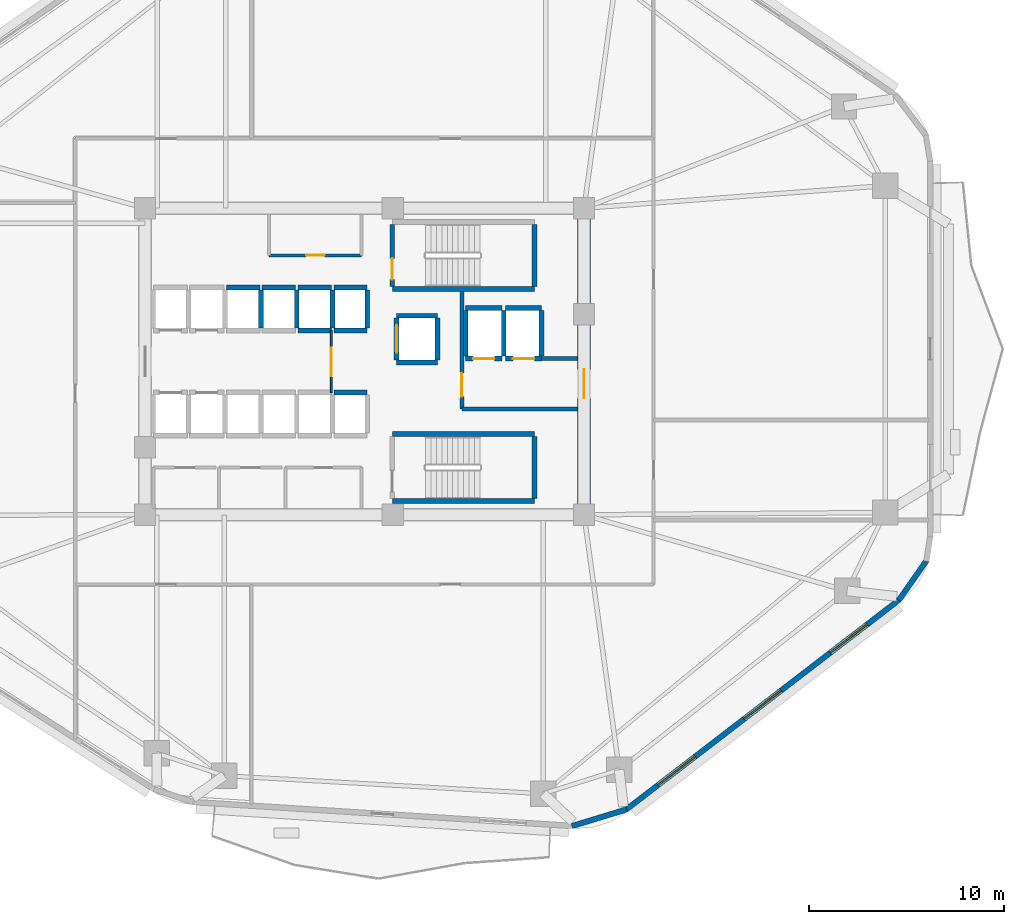
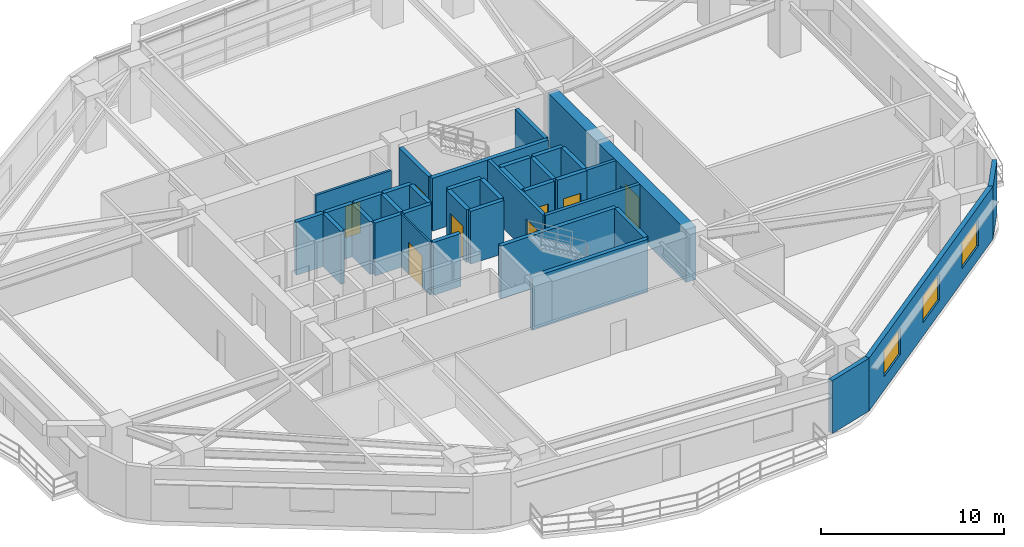
# One storey, part 7 of 11: 37 walls, 8 doors, 3 windows, 11 openings.
"""IFC4 building model written with IfcOpenShell, lengths in metres."""

from ifc_helpers import new_model, si_unit, direction, frame, frame_2d, origin, place, context, subcontext, project, spatial, rectangle, extrude, material, layer, layer_set, type_object, element, fill, save


model = new_model("IFC4")

# Units and contexts
model_context = context("Model", 3, precision=1e-05, world=origin(), true_north=direction((0.0, 1.0)))
body_context = subcontext(model_context, "Body", "Model", "MODEL_VIEW")
ifc_project = project(units=[si_unit("LENGTHUNIT", "METRE"), si_unit("AREAUNIT", "SQUARE_METRE"), si_unit("VOLUMEUNIT", "CUBIC_METRE"), si_unit("PLANEANGLEUNIT", "RADIAN"), si_unit("MASSUNIT", "GRAM", prefix="KILO")], contexts=[model_context])

# Site, building, storey
site_placement = place(None, origin())
site = spatial("IfcSite", under=ifc_project, at=site_placement, CompositionType="ELEMENT")
building_placement = place(site_placement, origin())
building = spatial("IfcBuilding", under=site, at=building_placement, Name="Zulverin Broadcast Headquarters", CompositionType="ELEMENT")
storey_placement = place(building_placement, frame((0.0, 0.0, 78.199951171875)))
storey = spatial("IfcBuildingStorey", under=building, at=storey_placement, Name="L19", CompositionType="ELEMENT", Elevation=78.199951171875)

# Wall, opening, door
ifc_material_1 = material(Name="Concrete C60/75", Category="concrete")
ifc_layer_1 = layer(ifc_material_1, 0.64990234375, Name="Concrete C60/75", Category="concrete")
ifc_layer_set_1 = layer_set([ifc_layer_1], Name="Concrete C60/75")
wall_type_1 = type_object("IfcWallType", Name="WL-CORE-650", PredefinedType="SHEAR", material=ifc_layer_set_1)
wall_1_placement = place(storey_placement, frame((48.27490234375, 17.64990234375, 0.0), z_axis=(0.0, 0.0, 1.0), x_axis=(0.0, 1.0, 0.0)))
wall_1 = element("IfcWall", 1, at=wall_1_placement, inside=storey, type_object=wall_type_1, Name="L19 Core East Shear Wall", PredefinedType="SHEAR", context=body_context, shape_type="SweptSolid", body=[
    extrude(rectangle(XDim=15.10009765625, YDim=0.64990234375, at=frame_2d((7.550048828125, 0.0))), origin(), (0.0, 0.0, 1.0), 3.525146484375),
])
opening_1_placement = place(wall_1_placement, frame((5.64990234375, 0.0, 0.0)))
opening_1 = element("IfcOpeningElement", 2, at=opening_1_placement, cuts=wall_1, Name="Opening D-L19-CE1", PredefinedType="OPENING", context=body_context, shape_type="SweptSolid", body=[
    extrude(rectangle(XDim=1.5, YDim=2.14990234375, at=frame_2d((0.75, 1.074951171875))), frame((0.0, 0.3349609375, 0.0), z_axis=(0.0, -1.0, 0.0), x_axis=(1.0, 0.0, 0.0)), (0.0, 0.0, 1.0), 0.669921875),
])
ifc_material_2 = material(Name="Fire-rated glazed steel frame", Category="steel")
door_type_1 = type_object("IfcDoorType", Name="DR-COR-1500", OperationType="DOUBLE_DOOR_SINGLE_SWING", PredefinedType="DOOR", material=ifc_material_2)
door_1_placement = place(opening_1_placement, origin())
door_1 = element("IfcDoor", 3, at=door_1_placement, inside=storey, type_object=door_type_1, Name="L19 Firefighting Lobby East Corridor Door", OperationType="DOUBLE_DOOR_SINGLE_SWING", OverallHeight=2.14990234375, OverallWidth=1.5, PredefinedType="DOOR", context=body_context, shape_type="SweptSolid", body=[
    extrude(rectangle(XDim=1.5, YDim=2.14990234375, at=frame_2d((0.75, 1.074951171875))), frame((0.0, 0.02490234375, 0.0), z_axis=(0.0, -1.0, 0.0), x_axis=(1.0, 0.0, 0.0)), (0.0, 0.0, 1.0), 0.050048828125),
])
fill(opening_1, door_1)

# Wall, openings, windows
ifc_material_3 = material(Name="Insulated pale-metal clad concrete spandrel C40/50", Category="concrete")
ifc_layer_2 = layer(ifc_material_3, 0.280029296875, Name="Insulated pale-metal clad concrete spandrel C40/50", Category="concrete")
ifc_layer_set_2 = layer_set([ifc_layer_2], Name="Insulated pale-metal clad concrete spandrel C40/50")
wall_type_2 = type_object("IfcWallType", Name="WL-EXT-280", PredefinedType="STANDARD", material=ifc_layer_set_2)
wall_2_placement = place(storey_placement, frame((50.4287109375, 2.171630859375, 0.0), z_axis=(0.0, 0.0, 1.0), x_axis=(0.792937466367, 0.609303023488, 0.0)))
wall_2 = element("IfcWall", 4, at=wall_2_placement, inside=storey, type_object=wall_type_2, Name="L19 Pale-Metal Clad Spandrel Wall 2", PredefinedType="STANDARD", context=body_context, shape_type="SweptSolid", body=[
    extrude(rectangle(XDim=17.712890625, YDim=0.280029296875, at=frame_2d((8.8564453125, 0.0))), origin(), (0.0, 0.0, 1.0), 3.525146484375),
])
opening_2_placement = place(wall_2_placement, frame((2.08544921875, 0.0, 0.89990234375)))
opening_2 = element("IfcOpeningElement", 5, at=opening_2_placement, cuts=wall_2, Name="Opening W-L19-E21", PredefinedType="OPENING", context=body_context, shape_type="SweptSolid", body=[
    extrude(rectangle(XDim=2.39990234375, YDim=1.75, at=frame_2d((1.199951171875, 0.875))), frame((0.0, 0.14990234375, 0.0), z_axis=(0.0, -1.0, 0.0), x_axis=(1.0, 0.0, 0.0)), (0.0, 0.0, 1.0), 0.300048828125),
])
opening_3_placement = place(wall_2_placement, frame((7.656494140625, 0.0, 0.89990234375)))
opening_3 = element("IfcOpeningElement", 6, at=opening_3_placement, cuts=wall_2, Name="Opening W-L19-E22", PredefinedType="OPENING", context=body_context, shape_type="SweptSolid", body=[
    extrude(rectangle(XDim=2.39990234375, YDim=1.75, at=frame_2d((1.199951171875, 0.875))), frame((0.0, 0.14990234375, 0.0), z_axis=(0.0, -1.0, 0.0), x_axis=(1.0, 0.0, 0.0)), (0.0, 0.0, 1.0), 0.300048828125),
])
opening_4_placement = place(wall_2_placement, frame((13.227294921875, 0.0, 0.89990234375)))
opening_4 = element("IfcOpeningElement", 7, at=opening_4_placement, cuts=wall_2, Name="Opening W-L19-E23", PredefinedType="OPENING", context=body_context, shape_type="SweptSolid", body=[
    extrude(rectangle(XDim=2.39990234375, YDim=1.75, at=frame_2d((1.199951171875, 0.875))), frame((0.0, 0.14990234375, 0.0), z_axis=(0.0, -1.0, 0.0), x_axis=(1.0, 0.0, 0.0)), (0.0, 0.0, 1.0), 0.300048828125),
])
ifc_material_4 = material(Name="Pale anodized aluminium frame with solar-control low-E double glazing", Category="aluminium")
window_type = type_object("IfcWindowType", Name="WIN-RIB-2400", PartitioningType="SINGLE_PANEL", PredefinedType="WINDOW", material=ifc_material_4)
window_1_placement = place(opening_2_placement, origin())
window_1 = element("IfcWindow", 8, at=window_1_placement, inside=storey, type_object=window_type, Name="L19 Ribbon Glazing Window 2 1", OverallHeight=1.75, OverallWidth=2.39990234375, PartitioningType="SINGLE_PANEL", PredefinedType="WINDOW", context=body_context, shape_type="SweptSolid", body=[
    extrude(rectangle(XDim=2.39990234375, YDim=1.75, at=frame_2d((1.199951171875, 0.875))), frame((0.0, 0.030029296875, 0.0), z_axis=(0.0, -1.0, 0.0), x_axis=(1.0, 0.0, 0.0)), (0.0, 0.0, 1.0), 0.06005859375),
])
fill(opening_2, window_1)
window_2_placement = place(opening_3_placement, origin())
window_2 = element("IfcWindow", 9, at=window_2_placement, inside=storey, type_object=window_type, Name="L19 Ribbon Glazing Window 2 2", OverallHeight=1.75, OverallWidth=2.39990234375, PartitioningType="SINGLE_PANEL", PredefinedType="WINDOW", context=body_context, shape_type="SweptSolid", body=[
    extrude(rectangle(XDim=2.39990234375, YDim=1.75, at=frame_2d((1.199951171875, 0.875))), frame((0.0, 0.030029296875, 0.0), z_axis=(0.0, -1.0, 0.0), x_axis=(1.0, 0.0, 0.0)), (0.0, 0.0, 1.0), 0.06005859375),
])
fill(opening_3, window_2)
window_3_placement = place(opening_4_placement, origin())
window_3 = element("IfcWindow", 10, at=window_3_placement, inside=storey, type_object=window_type, Name="L19 Ribbon Glazing Window 2 3", OverallHeight=1.75, OverallWidth=2.39990234375, PartitioningType="SINGLE_PANEL", PredefinedType="WINDOW", context=body_context, shape_type="SweptSolid", body=[
    extrude(rectangle(XDim=2.39990234375, YDim=1.75, at=frame_2d((1.199951171875, 0.875))), frame((0.0, 0.030029296875, 0.0), z_axis=(0.0, -1.0, 0.0), x_axis=(1.0, 0.0, 0.0)), (0.0, 0.0, 1.0), 0.06005859375),
])
fill(opening_4, window_3)

# Walls
wall_3_placement = place(storey_placement, frame((47.649658203125, 1.3330078125, 0.0), z_axis=(0.0, 0.0, 1.0), x_axis=(0.956461287977, 0.291859220516, 0.0)))
element("IfcWall", 11, at=wall_3_placement, inside=storey, type_object=wall_type_2, Name="L19 Wind-Shaped Corner Spandrel Wall 1-1", PredefinedType="STANDARD", context=body_context, shape_type="SweptSolid", body=[
    extrude(rectangle(XDim=2.951904296875, YDim=0.280029296875, at=frame_2d((1.47607421875, 0.0))), origin(), (0.0, 0.0, 1.0), 3.525146484375),
])
wall_4_placement = place(storey_placement, frame((64.4443359375, 12.933349609375, 0.0), z_axis=(0.0, 0.0, 1.0), x_axis=(0.573176686443, 0.819431806875, 0.0)))
element("IfcWall", 12, at=wall_4_placement, inside=storey, type_object=wall_type_2, Name="L19 Wind-Shaped Corner Spandrel Wall 2-1", PredefinedType="STANDARD", context=body_context, shape_type="SweptSolid", body=[
    extrude(rectangle(XDim=2.524169921875, YDim=0.280029296875, at=frame_2d((1.26220703125, 0.0))), origin(), (0.0, 0.0, 1.0), 3.525146484375),
])

# Wall, opening, door
ifc_material_5 = material(Name="Concrete C40/50", Category="concrete")
ifc_layer_3 = layer(ifc_material_5, 0.199951171875, Name="Concrete C40/50", Category="concrete")
ifc_layer_set_3 = layer_set([ifc_layer_3], Name="Concrete C40/50")
wall_type_3 = type_object("IfcWallType", Name="WL-FFL-200", PredefinedType="SOLIDWALL", material=ifc_layer_set_3)
wall_5_placement = place(storey_placement, frame((42.0, 22.75, 0.0), z_axis=(0.0, 0.0, 1.0), x_axis=(0.0, 1.0, 0.0)))
wall_5 = element("IfcWall", 13, at=wall_5_placement, inside=storey, type_object=wall_type_3, Name="L19 Firefighting Lift Lobby West Wall", PredefinedType="SOLIDWALL", context=body_context, shape_type="SweptSolid", body=[
    extrude(rectangle(XDim=6.050048828125, YDim=0.199951171875, at=frame_2d((3.02490234375, 0.0))), origin(), (0.0, 0.0, 1.0), 3.525146484375),
])
opening_5_placement = place(wall_5_placement, frame((0.64990234375, 0.0, 0.0)))
opening_5 = element("IfcOpeningElement", 14, at=opening_5_placement, cuts=wall_5, Name="Opening D-L19-FFLW", PredefinedType="OPENING", context=body_context, shape_type="SweptSolid", body=[
    extrude(rectangle(XDim=1.199951171875, YDim=2.14990234375, at=frame_2d((0.60009765625, 1.074951171875))), frame((0.0, 0.10986328125, 0.0), z_axis=(0.0, -1.0, 0.0), x_axis=(1.0, 0.0, 0.0)), (0.0, 0.0, 1.0), 0.219970703125),
])
ifc_material_6 = material(Name="Fire-rated steel leaf and frame", Category="steel")
door_type_2 = type_object("IfcDoorType", Name="DR-FFL-1200", OperationType="SINGLE_SWING_RIGHT", PredefinedType="DOOR", material=ifc_material_6)
door_2_placement = place(opening_5_placement, origin())
door_2 = element("IfcDoor", 15, at=door_2_placement, inside=storey, type_object=door_type_2, Name="L19 Firefighting Lift Lobby Door", OperationType="SINGLE_SWING_RIGHT", OverallHeight=2.14990234375, OverallWidth=1.199951171875, PredefinedType="DOOR", context=body_context, shape_type="SweptSolid", body=[
    extrude(rectangle(XDim=1.199951171875, YDim=2.14990234375, at=frame_2d((0.60009765625, 1.074951171875))), frame((0.0, 0.02490234375, 0.0), z_axis=(0.0, -1.0, 0.0), x_axis=(1.0, 0.0, 0.0)), (0.0, 0.0, 1.0), 0.050048828125),
])
fill(opening_5, door_2)

# Walls
wall_6_placement = place(storey_placement, frame((42.0, 22.75, 0.0), z_axis=(0.0, 0.0, 1.0), x_axis=(1.0, 0.0, 0.0)))
element("IfcWall", 16, at=wall_6_placement, inside=storey, type_object=wall_type_3, Name="L19 Firefighting Lift Lobby South Wall", PredefinedType="SOLIDWALL", context=body_context, shape_type="SweptSolid", body=[
    extrude(rectangle(XDim=5.949951171875, YDim=0.199951171875, at=frame_2d((2.97509765625, 0.0))), origin(), (0.0, 0.0, 1.0), 3.525146484375),
])
wall_7_placement = place(storey_placement, frame((46.10009765625, 25.35009765625, 0.0), z_axis=(0.0, 0.0, 1.0), x_axis=(1.0, 0.0, 0.0)))
element("IfcWall", 17, at=wall_7_placement, inside=storey, type_object=wall_type_3, Name="L19 Firefighting Lift Lobby North Wall", PredefinedType="SOLIDWALL", context=body_context, shape_type="SweptSolid", body=[
    extrude(rectangle(XDim=1.849853515625, YDim=0.199951171875, at=frame_2d((0.9248046875, 0.0))), origin(), (0.0, 0.0, 1.0), 3.525146484375),
])

# Wall, opening, door
ifc_material_7 = material(Name="Fire-rated acoustic laminated glass screen", Category="glass")
ifc_layer_4 = layer(ifc_material_7, 0.10009765625, Name="Fire-rated acoustic laminated glass screen", Category="glass")
ifc_layer_set_4 = layer_set([ifc_layer_4], Name="Fire-rated acoustic laminated glass screen")
wall_type_4 = type_object("IfcWallType", Name="WL-GLAZ-100", PredefinedType="PARTITIONING", material=ifc_layer_set_4)
wall_8_placement = place(storey_placement, frame((35.300048828125, 23.60009765625, 0.0), z_axis=(0.0, 0.0, 1.0), x_axis=(0.0, 1.0, 0.0)))
wall_8 = element("IfcWall", 18, at=wall_8_placement, inside=storey, type_object=wall_type_4, Name="L19 Central Core Smoke Vestibule Screen", PredefinedType="PARTITIONING", context=body_context, shape_type="SweptSolid", body=[
    extrude(rectangle(XDim=3.199951171875, YDim=0.10009765625, at=frame_2d((1.60009765625, 0.0))), origin(), (0.0, 0.0, 1.0), 3.525146484375),
])
opening_6_placement = place(wall_8_placement, frame((0.85009765625, 0.0, 0.0)))
opening_6 = element("IfcOpeningElement", 19, at=opening_6_placement, cuts=wall_8, Name="Opening D-L19-CL2", PredefinedType="OPENING", context=body_context, shape_type="SweptSolid", body=[
    extrude(rectangle(XDim=1.449951171875, YDim=2.1201171875, at=frame_2d((0.72509765625, 1.06005859375))), frame((0.0, 0.06005859375, 0.0), z_axis=(0.0, -1.0, 0.0), x_axis=(1.0, 0.0, 0.0)), (0.0, 0.0, 1.0), 0.1201171875),
])
ifc_material_8 = material(Name="Fire-rated acoustic glazed double leaf", Category="glass")
door_type_3 = type_object("IfcDoorType", Name="DR-GLZ-1450", OperationType="DOUBLE_DOOR_SINGLE_SWING", PredefinedType="DOOR", material=ifc_material_8)
door_3_placement = place(opening_6_placement, origin())
door_3 = element("IfcDoor", 20, at=door_3_placement, inside=storey, type_object=door_type_3, Name="L19 Central Core Smoke Vestibule Door", OperationType="DOUBLE_DOOR_SINGLE_SWING", OverallHeight=2.1201171875, OverallWidth=1.449951171875, PredefinedType="DOOR", context=body_context, shape_type="SweptSolid", body=[
    extrude(rectangle(XDim=1.449951171875, YDim=2.1201171875, at=frame_2d((0.72509765625, 1.06005859375))), frame((0.0, 0.02490234375, 0.0), z_axis=(0.0, -1.0, 0.0), x_axis=(1.0, 0.0, 0.0)), (0.0, 0.0, 1.0), 0.050048828125),
])
fill(opening_6, door_3)

ifc_material_9 = material(Name="Fire-rated gypsum stud partition", Category="gypsum")
ifc_layer_5 = layer(ifc_material_9, 0.14990234375, Name="Fire-rated gypsum stud partition", Category="gypsum")
ifc_layer_set_5 = layer_set([ifc_layer_5], Name="Fire-rated gypsum stud partition")
wall_type_5 = type_object("IfcWallType", Name="WL-PART-150", PredefinedType="PARTITIONING", material=ifc_layer_set_5)
wall_9_placement = place(storey_placement, frame((32.10009765625, 30.64990234375, 0.0), z_axis=(0.0, 0.0, 1.0), x_axis=(1.0, 0.0, 0.0)))
wall_9 = element("IfcWall", 21, at=wall_9_placement, inside=storey, type_object=wall_type_5, Name="L19 Core Accessible WC & Electrical Riser Front Wall", PredefinedType="PARTITIONING", context=body_context, shape_type="SweptSolid", body=[
    extrude(rectangle(XDim=4.75, YDim=0.14990234375, at=frame_2d((2.375, 0.0))), origin(), (0.0, 0.0, 1.0), 3.525146484375),
])
opening_7_placement = place(wall_9_placement, frame((1.89990234375, 0.0, 0.0)))
opening_7 = element("IfcOpeningElement", 22, at=opening_7_placement, cuts=wall_9, Name="Opening D-L19-NC1", PredefinedType="OPENING", context=body_context, shape_type="SweptSolid", body=[
    extrude(rectangle(XDim=0.949951171875, YDim=2.10009765625, at=frame_2d((0.47509765625, 1.050048828125))), frame((0.0, 0.0849609375, 0.0), z_axis=(0.0, -1.0, 0.0), x_axis=(1.0, 0.0, 0.0)), (0.0, 0.0, 1.0), 0.169921875),
])
ifc_material_10 = material(Name="Fire-rated moisture-resistant laminate leaf", Category="wood")
door_type_4 = type_object("IfcDoorType", Name="DR-WC-950", OperationType="SINGLE_SWING_LEFT", PredefinedType="DOOR", material=ifc_material_10)
door_4_placement = place(opening_7_placement, origin())
door_4 = element("IfcDoor", 23, at=door_4_placement, inside=storey, type_object=door_type_4, Name="L19 Accessible WC & Electrical Riser Door", OperationType="SINGLE_SWING_LEFT", OverallHeight=2.10009765625, OverallWidth=0.949951171875, PredefinedType="DOOR", context=body_context, shape_type="SweptSolid", body=[
    extrude(rectangle(XDim=0.949951171875, YDim=2.10009765625, at=frame_2d((0.47509765625, 1.050048828125))), frame((0.0, 0.02490234375, 0.0), z_axis=(0.0, -1.0, 0.0), x_axis=(1.0, 0.0, 0.0)), (0.0, 0.0, 1.0), 0.050048828125),
])
fill(opening_7, door_4)

# Wall
ifc_material_11 = material(Name="Concrete C50/60", Category="concrete")
ifc_layer_6 = layer(ifc_material_11, 0.25, Name="Concrete C50/60", Category="concrete")
ifc_layer_set_6 = layer_set([ifc_layer_6], Name="Concrete C50/60")
wall_type_6 = type_object("IfcWallType", Name="WL-SHAFT-250", PredefinedType="SHEAR", material=ifc_layer_set_6)
wall_10_placement = place(storey_placement, frame((38.425048828125, 28.925048828125, 0.0), z_axis=(0.0, 0.0, 1.0), x_axis=(1.0, 0.0, 0.0)))
element("IfcWall", 24, at=wall_10_placement, inside=storey, type_object=wall_type_6, Name="L19 ST-1 Enclosure Wall S", PredefinedType="SHEAR", context=body_context, shape_type="SweptSolid", body=[
    extrude(rectangle(XDim=7.300048828125, YDim=0.25, at=frame_2d((3.64990234375, 0.0))), origin(), (0.0, 0.0, 1.0), 3.525146484375),
])

# Wall, opening, door
wall_11_placement = place(storey_placement, frame((38.425048828125, 29.050048828125, 0.0), z_axis=(0.0, 0.0, 1.0), x_axis=(0.0, 1.0, 0.0)))
wall_11 = element("IfcWall", 25, at=wall_11_placement, inside=storey, type_object=wall_type_6, Name="L19 ST-1 Enclosure Wall W", PredefinedType="SHEAR", context=body_context, shape_type="SweptSolid", body=[
    extrude(rectangle(XDim=3.199951171875, YDim=0.25, at=frame_2d((1.60009765625, 0.0))), origin(), (0.0, 0.0, 1.0), 3.525146484375),
])
opening_8_placement = place(wall_11_placement, frame((0.35009765625, 0.0, 0.0)))
opening_8 = element("IfcOpeningElement", 26, at=opening_8_placement, cuts=wall_11, Name="Opening D-L19-ST-1", PredefinedType="OPENING", context=body_context, shape_type="SweptSolid", body=[
    extrude(rectangle(XDim=1.10009765625, YDim=2.14990234375, at=frame_2d((0.550048828125, 1.074951171875))), frame((0.0, 0.135009765625, 0.0), z_axis=(0.0, -1.0, 0.0), x_axis=(1.0, 0.0, 0.0)), (0.0, 0.0, 1.0), 0.27001953125),
])
door_type_5 = type_object("IfcDoorType", Name="DR-STAIR-1100", OperationType="SINGLE_SWING_LEFT", PredefinedType="DOOR", material=ifc_material_6)
door_5_placement = place(opening_8_placement, origin())
door_5 = element("IfcDoor", 27, at=door_5_placement, inside=storey, type_object=door_type_5, Name="L19 Exit Stair ST-1 Fire Door", OperationType="SINGLE_SWING_LEFT", OverallHeight=2.14990234375, OverallWidth=1.10009765625, PredefinedType="DOOR", context=body_context, shape_type="SweptSolid", body=[
    extrude(rectangle(XDim=1.10009765625, YDim=2.14990234375, at=frame_2d((0.550048828125, 1.074951171875))), frame((0.0, 0.02490234375, 0.0), z_axis=(0.0, -1.0, 0.0), x_axis=(1.0, 0.0, 0.0)), (0.0, 0.0, 1.0), 0.050048828125),
])
fill(opening_8, door_5)

# Walls
wall_12_placement = place(storey_placement, frame((45.72509765625, 29.050048828125, 0.0), z_axis=(0.0, 0.0, 1.0), x_axis=(0.0, 1.0, 0.0)))
element("IfcWall", 28, at=wall_12_placement, inside=storey, type_object=wall_type_6, Name="L19 ST-1 Enclosure Wall E", PredefinedType="SHEAR", context=body_context, shape_type="SweptSolid", body=[
    extrude(rectangle(XDim=3.199951171875, YDim=0.25, at=frame_2d((1.60009765625, 0.0))), origin(), (0.0, 0.0, 1.0), 3.525146484375),
])
for number, where, z_axis, x_axis, name in (
    (29, (38.425048828125, 18.02490234375, 0.0), (0.0, 0.0, 1.0), (1.0, 0.0, 0.0), "L19 ST-2 Enclosure Wall S"),
    (30, (38.425048828125, 21.47509765625, 0.0), (0.0, 0.0, 1.0), (1.0, 0.0, 0.0), "L19 ST-2 Enclosure Wall N"),
):
    element("IfcWall", number, at=place(storey_placement, frame(where, z_axis=z_axis, x_axis=x_axis)), inside=storey, type_object=wall_type_6, Name=name, PredefinedType="SHEAR", context=body_context, shape_type="SweptSolid", body=[
        extrude(rectangle(XDim=7.300048828125, YDim=0.25, at=frame_2d((3.64990234375, 0.0))), origin(), (0.0, 0.0, 1.0), 3.525146484375),
    ])
wall_13_placement = place(storey_placement, frame((45.72509765625, 18.14990234375, 0.0), z_axis=(0.0, 0.0, 1.0), x_axis=(0.0, 1.0, 0.0)))
element("IfcWall", 31, at=wall_13_placement, inside=storey, type_object=wall_type_6, Name="L19 ST-2 Enclosure Wall E", PredefinedType="SHEAR", context=body_context, shape_type="SweptSolid", body=[
    extrude(rectangle(XDim=3.2001953125, YDim=0.25, at=frame_2d((1.60009765625, 0.0))), origin(), (0.0, 0.0, 1.0), 3.525146484375),
])
wall_14_placement = place(storey_placement, frame((35.419921875, 23.60009765625, 0.0), z_axis=(0.0, 0.0, 1.0), x_axis=(1.0, 0.0, 0.0)))
element("IfcWall", 32, at=wall_14_placement, inside=storey, type_object=wall_type_6, Name="L19 Lift PL-M4 Shaft Wall N", PredefinedType="SHEAR", context=body_context, shape_type="SweptSolid", body=[
    extrude(rectangle(XDim=1.719970703125, YDim=0.25, at=frame_2d((0.85986328125, 0.0))), origin(), (0.0, 0.0, 1.0), 3.525146484375),
])
wall_15_placement = place(storey_placement, frame((29.89990234375, 29.0, 0.0), z_axis=(0.0, 0.0, 1.0), x_axis=(1.0, 0.0, 0.0)))
element("IfcWall", 33, at=wall_15_placement, inside=storey, type_object=wall_type_6, Name="L19 Lift PL-H1 Shaft Wall N", PredefinedType="SHEAR", context=body_context, shape_type="SweptSolid", body=[
    extrude(rectangle(XDim=1.72021484375, YDim=0.25, at=frame_2d((0.860107421875, 0.0))), origin(), (0.0, 0.0, 1.0), 3.525146484375),
])
wall_16_placement = place(storey_placement, frame((31.679931640625, 26.919921875, 0.0), z_axis=(0.0, 0.0, 1.0), x_axis=(0.0, 1.0, 0.0)))
element("IfcWall", 34, at=wall_16_placement, inside=storey, type_object=wall_type_6, Name="L19 Lift PL-H1 Shaft Wall E", PredefinedType="SHEAR", context=body_context, shape_type="SweptSolid", body=[
    extrude(rectangle(XDim=1.9599609375, YDim=0.25, at=frame_2d((0.97998046875, 0.0))), origin(), (0.0, 0.0, 1.0), 3.525146484375),
])
wall_17_placement = place(storey_placement, frame((31.739990234375, 29.0, 0.0), z_axis=(0.0, 0.0, 1.0), x_axis=(1.0, 0.0, 0.0)))
element("IfcWall", 35, at=wall_17_placement, inside=storey, type_object=wall_type_6, Name="L19 Lift PL-H2 Shaft Wall N", PredefinedType="SHEAR", context=body_context, shape_type="SweptSolid", body=[
    extrude(rectangle(XDim=1.719970703125, YDim=0.25, at=frame_2d((0.85986328125, 0.0))), origin(), (0.0, 0.0, 1.0), 3.525146484375),
])
wall_18_placement = place(storey_placement, frame((33.52001953125, 26.919921875, 0.0), z_axis=(0.0, 0.0, 1.0), x_axis=(0.0, 1.0, 0.0)))
element("IfcWall", 36, at=wall_18_placement, inside=storey, type_object=wall_type_6, Name="L19 Lift PL-H2 Shaft Wall E", PredefinedType="SHEAR", context=body_context, shape_type="SweptSolid", body=[
    extrude(rectangle(XDim=1.9599609375, YDim=0.25, at=frame_2d((0.97998046875, 0.0))), origin(), (0.0, 0.0, 1.0), 3.525146484375),
])
for number, where, z_axis, x_axis, name in (
    (37, (33.580078125, 26.800048828125, 0.0), (0.0, 0.0, 1.0), (1.0, 0.0, 0.0), "L19 Lift PL-H3 Shaft Wall S"),
    (38, (33.580078125, 29.0, 0.0), (0.0, 0.0, 1.0), (1.0, 0.0, 0.0), "L19 Lift PL-H3 Shaft Wall N"),
):
    element("IfcWall", number, at=place(storey_placement, frame(where, z_axis=z_axis, x_axis=x_axis)), inside=storey, type_object=wall_type_6, Name=name, PredefinedType="SHEAR", context=body_context, shape_type="SweptSolid", body=[
        extrude(rectangle(XDim=1.719970703125, YDim=0.25, at=frame_2d((0.85986328125, 0.0))), origin(), (0.0, 0.0, 1.0), 3.525146484375),
    ])
wall_19_placement = place(storey_placement, frame((35.360107421875, 26.919921875, 0.0), z_axis=(0.0, 0.0, 1.0), x_axis=(0.0, 1.0, 0.0)))
element("IfcWall", 39, at=wall_19_placement, inside=storey, type_object=wall_type_6, Name="L19 Lift PL-H3 Shaft Wall E", PredefinedType="SHEAR", context=body_context, shape_type="SweptSolid", body=[
    extrude(rectangle(XDim=1.9599609375, YDim=0.25, at=frame_2d((0.97998046875, 0.0))), origin(), (0.0, 0.0, 1.0), 3.525146484375),
])
for number, where, z_axis, x_axis, name in (
    (40, (35.419921875, 26.800048828125, 0.0), (0.0, 0.0, 1.0), (1.0, 0.0, 0.0), "L19 Lift PL-H4 Shaft Wall S"),
    (41, (35.419921875, 29.0, 0.0), (0.0, 0.0, 1.0), (1.0, 0.0, 0.0), "L19 Lift PL-H4 Shaft Wall N"),
):
    element("IfcWall", number, at=place(storey_placement, frame(where, z_axis=z_axis, x_axis=x_axis)), inside=storey, type_object=wall_type_6, Name=name, PredefinedType="SHEAR", context=body_context, shape_type="SweptSolid", body=[
        extrude(rectangle(XDim=1.719970703125, YDim=0.25, at=frame_2d((0.85986328125, 0.0))), origin(), (0.0, 0.0, 1.0), 3.525146484375),
    ])
wall_20_placement = place(storey_placement, frame((37.139892578125, 26.919921875, 0.0), z_axis=(0.0, 0.0, 1.0), x_axis=(0.0, 1.0, 0.0)))
element("IfcWall", 42, at=wall_20_placement, inside=storey, type_object=wall_type_6, Name="L19 Lift PL-H4 Shaft Wall E", PredefinedType="SHEAR", context=body_context, shape_type="SweptSolid", body=[
    extrude(rectangle(XDim=1.9599609375, YDim=0.25, at=frame_2d((0.97998046875, 0.0))), origin(), (0.0, 0.0, 1.0), 3.525146484375),
])

# Wall, opening, door
wall_21_placement = place(storey_placement, frame((42.199951171875, 25.35009765625, 0.0), z_axis=(0.0, 0.0, 1.0), x_axis=(1.0, 0.0, 0.0)))
wall_21 = element("IfcWall", 43, at=wall_21_placement, inside=storey, type_object=wall_type_6, Name="L19 Lift FFL-1 Shaft Wall S", PredefinedType="SHEAR", context=body_context, shape_type="SweptSolid", body=[
    extrude(rectangle(XDim=1.85009765625, YDim=0.25, at=frame_2d((0.925048828125, 0.0))), origin(), (0.0, 0.0, 1.0), 3.525146484375),
])
opening_9_placement = place(wall_21_placement, frame((0.375, 0.0, 0.0)))
opening_9 = element("IfcOpeningElement", 44, at=opening_9_placement, cuts=wall_21, Name="Opening LD-FFL-1-L19", PredefinedType="OPENING", context=body_context, shape_type="SweptSolid", body=[
    extrude(rectangle(XDim=1.10009765625, YDim=2.14990234375, at=frame_2d((0.550048828125, 1.074951171875))), frame((0.0, 0.135009765625, 0.0), z_axis=(0.0, -1.0, 0.0), x_axis=(1.0, 0.0, 0.0)), (0.0, 0.0, 1.0), 0.27001953125),
])
ifc_material_12 = material(Name="Fire-rated stainless landing door", Category="steel")
door_type_6 = type_object("IfcDoorType", Name="LD-FFL-1100", OperationType="DOUBLE_DOOR_SLIDING", PredefinedType="DOOR", material=ifc_material_12)
door_6_placement = place(opening_9_placement, origin())
door_6 = element("IfcDoor", 45, at=door_6_placement, inside=storey, type_object=door_type_6, Name="L19 Lift FFL-1 Sliding Landing Door", OperationType="DOUBLE_DOOR_SLIDING", OverallHeight=2.14990234375, OverallWidth=1.10009765625, PredefinedType="DOOR", context=body_context, shape_type="SweptSolid", body=[
    extrude(rectangle(XDim=1.10009765625, YDim=2.14990234375, at=frame_2d((0.550048828125, 1.074951171875))), frame((0.0, 0.02490234375, 0.0), z_axis=(0.0, -1.0, 0.0), x_axis=(1.0, 0.0, 0.0)), (0.0, 0.0, 1.0), 0.050048828125),
])
fill(opening_9, door_6)

# Walls
wall_22_placement = place(storey_placement, frame((42.199951171875, 27.949951171875, 0.0), z_axis=(0.0, 0.0, 1.0), x_axis=(1.0, 0.0, 0.0)))
element("IfcWall", 46, at=wall_22_placement, inside=storey, type_object=wall_type_6, Name="L19 Lift FFL-1 Shaft Wall N", PredefinedType="SHEAR", context=body_context, shape_type="SweptSolid", body=[
    extrude(rectangle(XDim=1.85009765625, YDim=0.25, at=frame_2d((0.925048828125, 0.0))), origin(), (0.0, 0.0, 1.0), 3.525146484375),
])
for number, where, z_axis, x_axis, name in (
    (47, (42.199951171875, 25.469970703125, 0.0), (0.0, 0.0, 1.0), (0.0, 1.0, 0.0), "L19 Lift FFL-1 Shaft Wall W"),
    (48, (44.14990234375, 25.469970703125, 0.0), (0.0, 0.0, 1.0), (0.0, 1.0, 0.0), "L19 Lift FFL-1 Shaft Wall E"),
):
    element("IfcWall", number, at=place(storey_placement, frame(where, z_axis=z_axis, x_axis=x_axis)), inside=storey, type_object=wall_type_6, Name=name, PredefinedType="SHEAR", context=body_context, shape_type="SweptSolid", body=[
        extrude(rectangle(XDim=2.360107421875, YDim=0.25, at=frame_2d((1.18017578125, 0.0))), origin(), (0.0, 0.0, 1.0), 3.525146484375),
    ])

# Wall, opening, door
wall_23_placement = place(storey_placement, frame((44.25, 25.35009765625, 0.0), z_axis=(0.0, 0.0, 1.0), x_axis=(1.0, 0.0, 0.0)))
wall_23 = element("IfcWall", 49, at=wall_23_placement, inside=storey, type_object=wall_type_6, Name="L19 Lift FFL-2 Shaft Wall S", PredefinedType="SHEAR", context=body_context, shape_type="SweptSolid", body=[
    extrude(rectangle(XDim=1.85009765625, YDim=0.25, at=frame_2d((0.925048828125, 0.0))), origin(), (0.0, 0.0, 1.0), 3.525146484375),
])
opening_10_placement = place(wall_23_placement, frame((0.375, 0.0, 0.0)))
opening_10 = element("IfcOpeningElement", 50, at=opening_10_placement, cuts=wall_23, Name="Opening LD-FFL-2-L19", PredefinedType="OPENING", context=body_context, shape_type="SweptSolid", body=[
    extrude(rectangle(XDim=1.10009765625, YDim=2.14990234375, at=frame_2d((0.550048828125, 1.074951171875))), frame((0.0, 0.135009765625, 0.0), z_axis=(0.0, -1.0, 0.0), x_axis=(1.0, 0.0, 0.0)), (0.0, 0.0, 1.0), 0.27001953125),
])
door_7_placement = place(opening_10_placement, origin())
door_7 = element("IfcDoor", 51, at=door_7_placement, inside=storey, type_object=door_type_6, Name="L19 Lift FFL-2 Sliding Landing Door", OperationType="DOUBLE_DOOR_SLIDING", OverallHeight=2.14990234375, OverallWidth=1.10009765625, PredefinedType="DOOR", context=body_context, shape_type="SweptSolid", body=[
    extrude(rectangle(XDim=1.10009765625, YDim=2.14990234375, at=frame_2d((0.550048828125, 1.074951171875))), frame((0.0, 0.02490234375, 0.0), z_axis=(0.0, -1.0, 0.0), x_axis=(1.0, 0.0, 0.0)), (0.0, 0.0, 1.0), 0.050048828125),
])
fill(opening_10, door_7)

# Walls
wall_24_placement = place(storey_placement, frame((44.25, 27.949951171875, 0.0), z_axis=(0.0, 0.0, 1.0), x_axis=(1.0, 0.0, 0.0)))
element("IfcWall", 52, at=wall_24_placement, inside=storey, type_object=wall_type_6, Name="L19 Lift FFL-2 Shaft Wall N", PredefinedType="SHEAR", context=body_context, shape_type="SweptSolid", body=[
    extrude(rectangle(XDim=1.85009765625, YDim=0.25, at=frame_2d((0.925048828125, 0.0))), origin(), (0.0, 0.0, 1.0), 3.525146484375),
])
wall_25_placement = place(storey_placement, frame((46.10009765625, 25.469970703125, 0.0), z_axis=(0.0, 0.0, 1.0), x_axis=(0.0, 1.0, 0.0)))
element("IfcWall", 53, at=wall_25_placement, inside=storey, type_object=wall_type_6, Name="L19 Lift FFL-2 Shaft Wall E", PredefinedType="SHEAR", context=body_context, shape_type="SweptSolid", body=[
    extrude(rectangle(XDim=2.360107421875, YDim=0.25, at=frame_2d((1.18017578125, 0.0))), origin(), (0.0, 0.0, 1.0), 3.525146484375),
])
for number, where, z_axis, x_axis, name in (
    (54, (38.64990234375, 25.14990234375, 0.0), (0.0, 0.0, 1.0), (1.0, 0.0, 0.0), "L19 Lift SVL-1 Shaft Wall S"),
    (55, (38.64990234375, 27.550048828125, 0.0), (0.0, 0.0, 1.0), (1.0, 0.0, 0.0), "L19 Lift SVL-1 Shaft Wall N"),
):
    element("IfcWall", number, at=place(storey_placement, frame(where, z_axis=z_axis, x_axis=x_axis)), inside=storey, type_object=wall_type_6, Name=name, PredefinedType="SHEAR", context=body_context, shape_type="SweptSolid", body=[
        extrude(rectangle(XDim=2.10009765625, YDim=0.25, at=frame_2d((1.050048828125, 0.0))), origin(), (0.0, 0.0, 1.0), 3.525146484375),
    ])

# Wall, opening, door
wall_26_placement = place(storey_placement, frame((38.64990234375, 25.27001953125, 0.0), z_axis=(0.0, 0.0, 1.0), x_axis=(0.0, 1.0, 0.0)))
wall_26 = element("IfcWall", 56, at=wall_26_placement, inside=storey, type_object=wall_type_6, Name="L19 Lift SVL-1 Shaft Wall W", PredefinedType="SHEAR", context=body_context, shape_type="SweptSolid", body=[
    extrude(rectangle(XDim=2.159912109375, YDim=0.25, at=frame_2d((1.080078125, 0.0))), origin(), (0.0, 0.0, 1.0), 3.525146484375),
])
opening_11_placement = place(wall_26_placement, frame((0.3798828125, 0.0, 0.0)))
opening_11 = element("IfcOpeningElement", 57, at=opening_11_placement, cuts=wall_26, Name="Opening LD-SVL-1-L19", PredefinedType="OPENING", context=body_context, shape_type="SweptSolid", body=[
    extrude(rectangle(XDim=1.39990234375, YDim=2.199951171875, at=frame_2d((0.699951171875, 1.10009765625))), frame((0.0, 0.135009765625, 0.0), z_axis=(0.0, -1.0, 0.0), x_axis=(1.0, 0.0, 0.0)), (0.0, 0.0, 1.0), 0.27001953125),
])
ifc_material_13 = material(Name="Heavy-duty stainless landing door", Category="steel")
door_type_7 = type_object("IfcDoorType", Name="LD-GOODS-1400", OperationType="DOUBLE_DOOR_SLIDING", PredefinedType="DOOR", material=ifc_material_13)
door_8_placement = place(opening_11_placement, origin())
door_8 = element("IfcDoor", 58, at=door_8_placement, inside=storey, type_object=door_type_7, Name="L19 Lift SVL-1 Sliding Landing Door", OperationType="DOUBLE_DOOR_SLIDING", OverallHeight=2.199951171875, OverallWidth=1.39990234375, PredefinedType="DOOR", context=body_context, shape_type="SweptSolid", body=[
    extrude(rectangle(XDim=1.39990234375, YDim=2.199951171875, at=frame_2d((0.699951171875, 1.10009765625))), frame((0.0, 0.02490234375, 0.0), z_axis=(0.0, -1.0, 0.0), x_axis=(1.0, 0.0, 0.0)), (0.0, 0.0, 1.0), 0.050048828125),
])
fill(opening_11, door_8)

# Wall
wall_27_placement = place(storey_placement, frame((40.75, 25.27001953125, 0.0), z_axis=(0.0, 0.0, 1.0), x_axis=(0.0, 1.0, 0.0)))
element("IfcWall", 59, at=wall_27_placement, inside=storey, type_object=wall_type_6, Name="L19 Lift SVL-1 Shaft Wall E", PredefinedType="SHEAR", context=body_context, shape_type="SweptSolid", body=[
    extrude(rectangle(XDim=2.159912109375, YDim=0.25, at=frame_2d((1.080078125, 0.0))), origin(), (0.0, 0.0, 1.0), 3.525146484375),
])

save(model, "model.ifc")
